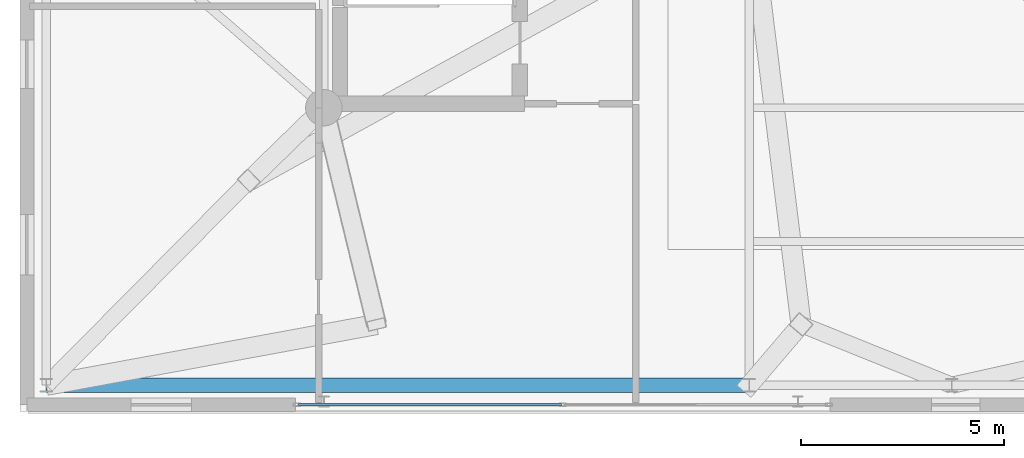
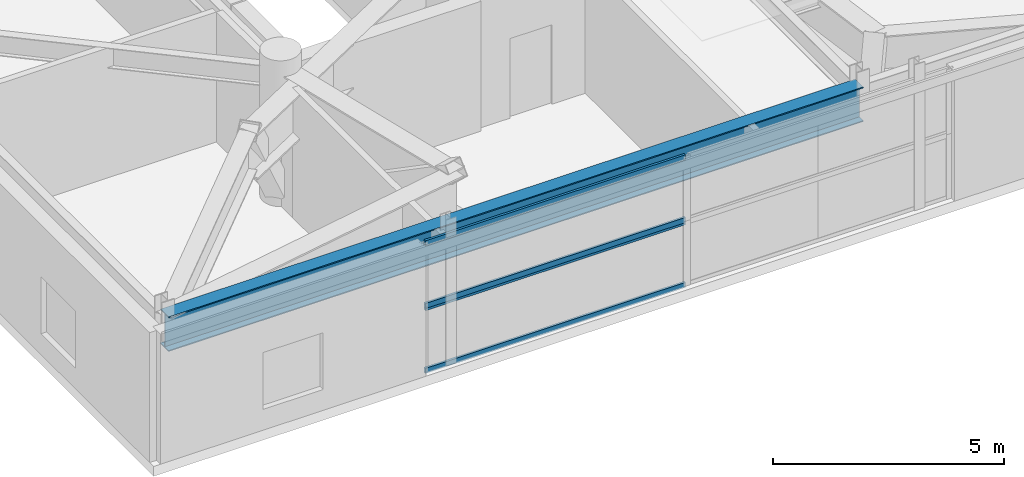
# One storey, part 6 of 27: 4 members, 1 beam, 2 elements without a shape of their own.
"""IFC4 building model written with IfcOpenShell, lengths in metres."""

from ifc_helpers import new_model, si_unit, direction, frame, origin, origin_2d, place, context, subcontext, project, spatial, hollow_rectangle, i_section, extrude, source, transform, mapped, material, layer, layer_set, material_profile, profile_set, type_object, element, aggregate, save


model = new_model("IFC4")

# Units and contexts
model_context = context("Model", 3, precision=1e-05, world=origin(), true_north=direction((0.0, 1.0)))
body_context = subcontext(model_context, "Body", "Model", "MODEL_VIEW")
ifc_project = project(units=[si_unit("LENGTHUNIT", "METRE"), si_unit("AREAUNIT", "SQUARE_METRE"), si_unit("VOLUMEUNIT", "CUBIC_METRE"), si_unit("PLANEANGLEUNIT", "RADIAN"), si_unit("MASSUNIT", "GRAM", prefix="KILO")], contexts=[model_context])

# Site, building, storey
site_placement = place(None, origin())
site = spatial("IfcSite", under=ifc_project, at=site_placement, CompositionType="ELEMENT")
building_placement = place(site_placement, origin())
building = spatial("IfcBuilding", under=site, at=building_placement, Name="Taldren Reach Tower", CompositionType="ELEMENT")
storey_placement = place(building_placement, frame((0.0, 0.0, 12.949951171875)))
storey = spatial("IfcBuildingStorey", under=building, at=storey_placement, Name="L03", CompositionType="ELEMENT", Elevation=12.949951171875)

# Beam
ifc_material_1 = material(Name="Steel Gr 350 (350PLUS)", Category="steel")
ifc_material_profile_1 = material_profile(ifc_material_1, i_section(OverallWidth=0.35009765625, OverallDepth=0.916015625, WebThickness=0.013916015625, FlangeThickness=0.028076171875, at=origin_2d()), Name="900WB257")
ifc_profile_set_1 = profile_set([ifc_material_profile_1], Name="Steel Gr 350 (350PLUS)")
beam_type = type_object("IfcBeamType", Name="BM-WB900", PredefinedType="BEAM", material=ifc_profile_set_1)
shared_shape_1 = source(origin(), body_context, "Body", "SweptSolid", [
    extrude(i_section(OverallWidth=0.35009765625, OverallDepth=0.916015625, WebThickness=0.013916015625, FlangeThickness=0.028076171875, at=origin_2d()), origin(), (0.0, 0.0, 1.0), 17.35009765625),
])
beam_placement = place(storey_placement, frame((0.64990234375, 0.64990234375, 2.97216796875), z_axis=(1.0, 0.0, 0.0), x_axis=(0.0, 1.0, 0.0)))
element("IfcBeam", 1, at=beam_placement, inside=storey, type_object=beam_type, Name="Podium girder L03-PD01", PredefinedType="BEAM", context=body_context, shape_type="MappedRepresentation", body=[
    mapped(shared_shape_1, transform((0.0, 0.0, 0.0), scale=1.0)),
])

# Curtain wall, members
ifc_material_2 = material(Name="Aluminium and Low-E Glass Unitised System", Category="aluminium")
ifc_layer = layer(ifc_material_2, 0.159912109375)
ifc_layer_set = layer_set([ifc_layer], Name="Aluminium and Low-E Glass Unitised System")
curtain_wall_type = type_object("IfcCurtainWallType", Name="CW-SYS-1", PredefinedType="NOTDEFINED", material=ifc_layer_set)
curtain_wall_1_placement = place(storey_placement, origin())
curtain_wall_1 = element("IfcCurtainWall", 2, at=curtain_wall_1_placement, inside=storey, type_object=curtain_wall_type, Name="Unitised curtain wall CW1-L03-S1", PredefinedType="NOTDEFINED")
ifc_material_3 = material(Name="Anodised Aluminium 6063-T6", Category="aluminium")
ifc_material_profile_2 = material_profile(ifc_material_3, hollow_rectangle(XDim=0.06005859375, YDim=0.135009765625, WallThickness=0.00341796875, at=origin_2d()), Name="ALU-135x60x3.5RHS")
ifc_profile_set_2 = profile_set([ifc_material_profile_2], Name="Anodised Aluminium 6063-T6")
member_type = type_object("IfcMemberType", Name="CW-TRN-150", PredefinedType="USERDEFINED", material=ifc_profile_set_2)
shared_shape_2 = source(origin(), body_context, "Body", "SweptSolid", [
    extrude(hollow_rectangle(XDim=0.06005859375, YDim=0.135009765625, WallThickness=0.00341796875, at=origin_2d()), origin(), (0.0, 0.0, 1.0), 6.494873046875),
])
member_1_placement = place(storey_placement, frame((6.8701171875, 0.169921875, 0.030029296875), z_axis=(1.0, 0.0, 0.0), x_axis=(0.0, 1.0, 0.0)))
member_1 = element("IfcMember", 3, at=member_1_placement, type_object=member_type, Name="CW-1 transom 1.1", ObjectType="TRANSOM", PredefinedType="USERDEFINED", context=body_context, shape_type="MappedRepresentation", body=[
    mapped(shared_shape_2, transform((0.0, 0.0, 0.0), scale=1.0)),
])
member_2_placement = place(storey_placement, frame((6.8701171875, 0.169921875, 1.68505859375), z_axis=(1.0, 0.0, 0.0), x_axis=(0.0, 1.0, 0.0)))
member_2 = element("IfcMember", 4, at=member_2_placement, type_object=member_type, Name="CW-1 transom 1.2", ObjectType="TRANSOM", PredefinedType="USERDEFINED", context=body_context, shape_type="MappedRepresentation", body=[
    mapped(shared_shape_2, transform((0.0, 0.0, 0.0), scale=1.0)),
])
aggregate(curtain_wall_1, [member_1, member_2])

curtain_wall_2_placement = place(storey_placement, origin())
curtain_wall_2 = element("IfcCurtainWall", 5, at=curtain_wall_2_placement, inside=storey, type_object=curtain_wall_type, Name="Unitised curtain wall CW1-L03-S1-T2", PredefinedType="NOTDEFINED")
member_3_placement = place(storey_placement, frame((6.8701171875, 0.169921875, 1.7451171875), z_axis=(1.0, 0.0, 0.0), x_axis=(0.0, 1.0, 0.0)))
member_3 = element("IfcMember", 6, at=member_3_placement, type_object=member_type, Name="CW-1 transom 1.1", ObjectType="TRANSOM", PredefinedType="USERDEFINED", context=body_context, shape_type="MappedRepresentation", body=[
    mapped(shared_shape_2, transform((0.0, 0.0, 0.0), scale=1.0)),
])
member_4_placement = place(storey_placement, frame((6.8701171875, 0.169921875, 3.400146484375), z_axis=(1.0, 0.0, 0.0), x_axis=(0.0, 1.0, 0.0)))
member_4 = element("IfcMember", 7, at=member_4_placement, type_object=member_type, Name="CW-1 transom 1.2", ObjectType="TRANSOM", PredefinedType="USERDEFINED", context=body_context, shape_type="MappedRepresentation", body=[
    mapped(shared_shape_2, transform((0.0, 0.0, 0.0), scale=1.0)),
])
aggregate(curtain_wall_2, [member_3, member_4])

save(model, "model.ifc")
